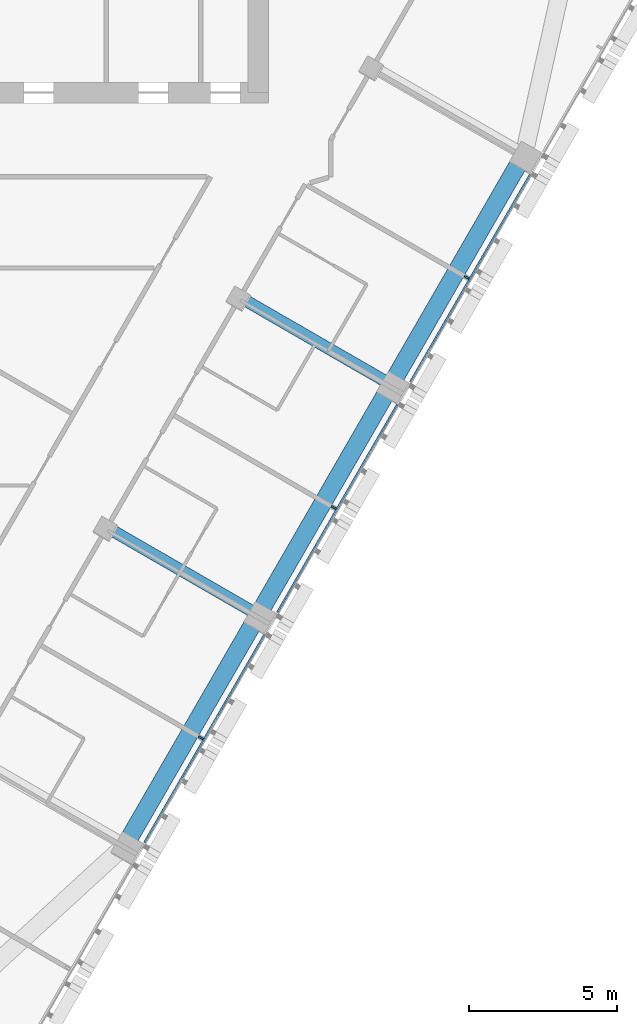
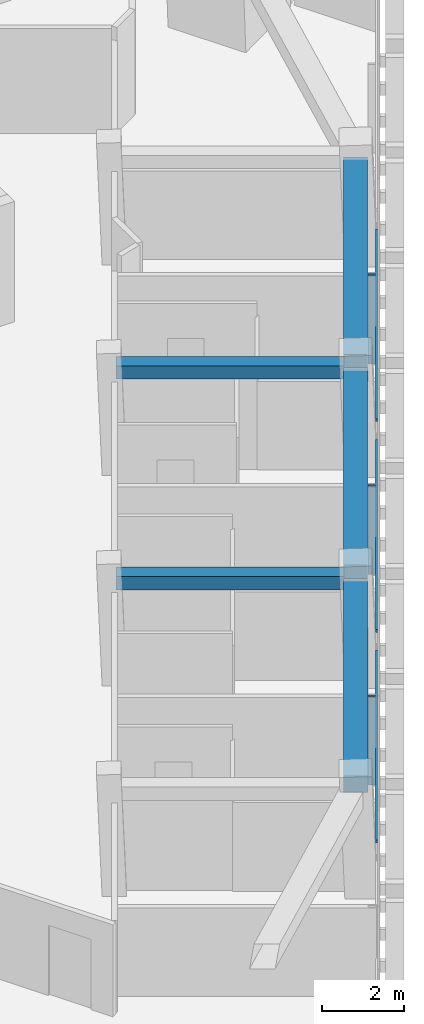
# One storey, part 4 of 16: 6 members, 5 beams, 1 element without a shape of its own.
"""IFC4 building model written with IfcOpenShell, lengths in metres."""

from ifc_helpers import new_model, si_unit, direction, frame, origin, origin_2d, place, context, subcontext, project, spatial, rectangle, extrude, material, layer, layer_set, material_profile, profile_set, type_object, element, aggregate, save


model = new_model("IFC4")

# Units and contexts
model_context = context("Model", 3, precision=1e-05, world=origin(), true_north=direction((0.0, 1.0)))
body_context = subcontext(model_context, "Body", "Model", "MODEL_VIEW")
ifc_project = project(units=[si_unit("LENGTHUNIT", "METRE"), si_unit("AREAUNIT", "SQUARE_METRE"), si_unit("VOLUMEUNIT", "CUBIC_METRE"), si_unit("PLANEANGLEUNIT", "RADIAN"), si_unit("MASSUNIT", "GRAM", prefix="KILO")], contexts=[model_context])

# Site, building, storey
site_placement = place(None, origin())
site = spatial("IfcSite", under=ifc_project, at=site_placement, CompositionType="ELEMENT")
building_placement = place(site_placement, origin())
building = spatial("IfcBuilding", under=site, at=building_placement, Name="Altiplano Prism Tower", CompositionType="ELEMENT")
storey_placement = place(building_placement, frame((0.0, 0.0, 167.39990234375)))
storey = spatial("IfcBuildingStorey", under=building, at=storey_placement, Name="L43", CompositionType="ELEMENT", Elevation=167.39990234375)

# Curtain wall, members
ifc_material_1 = material(Name="Aluminium and glass", Category="aluminium")
ifc_layer = layer(ifc_material_1, 0.280029296875)
ifc_layer_set = layer_set([ifc_layer], Name="Aluminium and glass")
curtain_wall_type = type_object("IfcCurtainWallType", Name="CW1 typical co-living unitised curtain wall", PredefinedType="NOTDEFINED", material=ifc_layer_set)
curtain_wall_placement = place(storey_placement, origin())
curtain_wall = element("IfcCurtainWall", 1, at=curtain_wall_placement, inside=storey, type_object=curtain_wall_type, Name="CW1 curtain wall south-east face L43", PredefinedType="NOTDEFINED")
ifc_material_2 = material(Name="Aluminium", Category="aluminium")
ifc_material_profile_1 = material_profile(ifc_material_2, rectangle(XDim=0.179931640625, YDim=0.06494140625, at=origin_2d()), Name="CW1 mullion 65 x 180")
ifc_profile_set_1 = profile_set([ifc_material_profile_1], Name="Aluminium")
member_type_1 = type_object("IfcMemberType", Name="CW1 mullion 65 x 180", PredefinedType="MULLION", material=ifc_profile_set_1)
member_1_placement = place(storey_placement, frame((95.40234375, 71.2041015625, 0.0), z_axis=(0.0, 0.0, 1.0), x_axis=(-0.866025409221, 0.499999990583, 0.0)))
member_1 = element("IfcMember", 2, at=member_1_placement, type_object=member_type_1, Name="CW1 mullion", PredefinedType="MULLION", context=body_context, shape_type="SweptSolid", body=[
    extrude(rectangle(XDim=0.179931640625, YDim=0.06494140625, at=origin_2d()), origin(), (0.0, 0.0, 1.0), 2.650146484375),
])
member_2_placement = place(storey_placement, frame((99.90234375, 78.998291015625, 0.0), z_axis=(0.0, 0.0, 1.0), x_axis=(-0.866025409221, 0.499999990583, 0.0)))
member_2 = element("IfcMember", 3, at=member_2_placement, type_object=member_type_1, Name="CW1 mullion", PredefinedType="MULLION", context=body_context, shape_type="SweptSolid", body=[
    extrude(rectangle(XDim=0.179931640625, YDim=0.06494140625, at=origin_2d()), origin(), (0.0, 0.0, 1.0), 2.650146484375),
])
member_3_placement = place(storey_placement, frame((104.40234375, 86.79248046875, 0.0), z_axis=(0.0, 0.0, 1.0), x_axis=(-0.866025409221, 0.499999990583, 0.0)))
member_3 = element("IfcMember", 4, at=member_3_placement, type_object=member_type_1, Name="CW1 mullion", PredefinedType="MULLION", context=body_context, shape_type="SweptSolid", body=[
    extrude(rectangle(XDim=0.179931640625, YDim=0.06494140625, at=origin_2d()), origin(), (0.0, 0.0, 1.0), 2.650146484375),
])
ifc_material_profile_2 = material_profile(ifc_material_2, rectangle(XDim=0.06005859375, YDim=0.080078125, at=origin_2d()), Name="CW1 transom 80 x 60")
ifc_profile_set_2 = profile_set([ifc_material_profile_2], Name="Aluminium")
member_type_2 = type_object("IfcMemberType", Name="CW1 transom 80 x 60", PredefinedType="USERDEFINED", material=ifc_profile_set_2)
member_4_placement = place(storey_placement, frame((93.49609375, 67.662353515625, 1.10009765625), z_axis=(0.499990533176, 0.866030869389, 0.0), x_axis=(-0.866030869389, 0.499990533176, 0.0)))
member_4 = element("IfcMember", 5, at=member_4_placement, type_object=member_type_2, Name="CW1 transom", ObjectType="TRANSOM", PredefinedType="USERDEFINED", context=body_context, shape_type="SweptSolid", body=[
    extrude(rectangle(XDim=0.06005859375, YDim=0.080078125, at=origin_2d()), origin(), (0.0, 0.0, 1.0), 8.119873046875),
])
member_5_placement = place(storey_placement, frame((97.99609375, 75.45654296875, 1.10009765625), z_axis=(0.499990533176, 0.866030869389, 0.0), x_axis=(-0.866030869389, 0.499990533176, 0.0)))
member_5 = element("IfcMember", 6, at=member_5_placement, type_object=member_type_2, Name="CW1 transom", ObjectType="TRANSOM", PredefinedType="USERDEFINED", context=body_context, shape_type="SweptSolid", body=[
    extrude(rectangle(XDim=0.06005859375, YDim=0.080078125, at=origin_2d()), origin(), (0.0, 0.0, 1.0), 8.119873046875),
])
member_6_placement = place(storey_placement, frame((102.49609375, 83.250732421875, 1.10009765625), z_axis=(0.499990533176, 0.866030869389, 0.0), x_axis=(-0.866030869389, 0.499990533176, 0.0)))
member_6 = element("IfcMember", 7, at=member_6_placement, type_object=member_type_2, Name="CW1 transom", ObjectType="TRANSOM", PredefinedType="USERDEFINED", context=body_context, shape_type="SweptSolid", body=[
    extrude(rectangle(XDim=0.06005859375, YDim=0.080078125, at=origin_2d()), origin(), (0.0, 0.0, 1.0), 8.119873046875),
])
aggregate(curtain_wall, [member_1, member_4, member_2, member_5, member_3, member_6])

# Beams
ifc_material_3 = material(Name="Concrete C60/75", Category="concrete")
ifc_material_profile_3 = material_profile(ifc_material_3, rectangle(XDim=0.60009765625, YDim=0.5, at=origin_2d()), Name="Edge beam 600x500")
ifc_profile_set_3 = profile_set([ifc_material_profile_3], Name="Concrete C60/75")
beam_type_1 = type_object("IfcBeamType", Name="Edge beam 600x500", PredefinedType="SPANDREL", material=ifc_profile_set_3)
for number, where, z_axis, x_axis, name in (
    (8, (92.9873046875, 67.81787109375, 2.900146484375), (0.499993714791, 0.866029032521, 0.0), (-0.866029032521, 0.499993714791, 0.0), "Edge beam P21-P22 L44"),
    (9, (97.4873046875, 75.6123046875, 2.900146484375), (0.500006240468, 0.866021800818, 0.0), (-0.866021800818, 0.500006240468, 0.0), "Edge beam P22-P23 L44"),
    (10, (101.9873046875, 83.406494140625, 2.900146484375), (0.499993714791, 0.866029032521, 0.0), (-0.866029032521, 0.499993714791, 0.0), "Edge beam P23-P24 L44"),
):
    element("IfcBeam", number, at=place(storey_placement, frame(where, z_axis=z_axis, x_axis=x_axis)), inside=storey, type_object=beam_type_1, Name=name, PredefinedType="SPANDREL", context=body_context, shape_type="SweptSolid", body=[
        extrude(rectangle(XDim=0.60009765625, YDim=0.5, at=origin_2d()), origin(), (0.0, 0.0, 1.0), 8.43994140625),
    ])
ifc_material_profile_4 = material_profile(ifc_material_3, rectangle(XDim=0.39990234375, YDim=0.39990234375, at=origin_2d()), Name="Tie beam 400x400")
ifc_profile_set_4 = profile_set([ifc_material_profile_4], Name="Concrete C60/75")
beam_type_2 = type_object("IfcBeamType", Name="Tie beam 400x400", PredefinedType="BEAM", material=ifc_profile_set_4)
for number, where, z_axis, x_axis, name in (
    (11, (92.263671875, 78.3046875, 2.9501953125), (0.866030670444, -0.499990877767, 0.0), (0.499990877767, 0.866030670444, 0.0), "Tie beam I22 L44"),
    (12, (96.763671875, 86.098876953125, 2.9501953125), (0.866030670444, -0.499990877767, 0.0), (0.499990877767, 0.866030670444, 0.0), "Tie beam I23 L44"),
):
    element("IfcBeam", number, at=place(storey_placement, frame(where, z_axis=z_axis, x_axis=x_axis)), inside=storey, type_object=beam_type_2, Name=name, PredefinedType="BEAM", context=body_context, shape_type="SweptSolid", body=[
        extrude(rectangle(XDim=0.39990234375, YDim=0.39990234375, at=origin_2d()), origin(), (0.0, 0.0, 1.0), 5.58984375),
    ])

save(model, "model.ifc")
